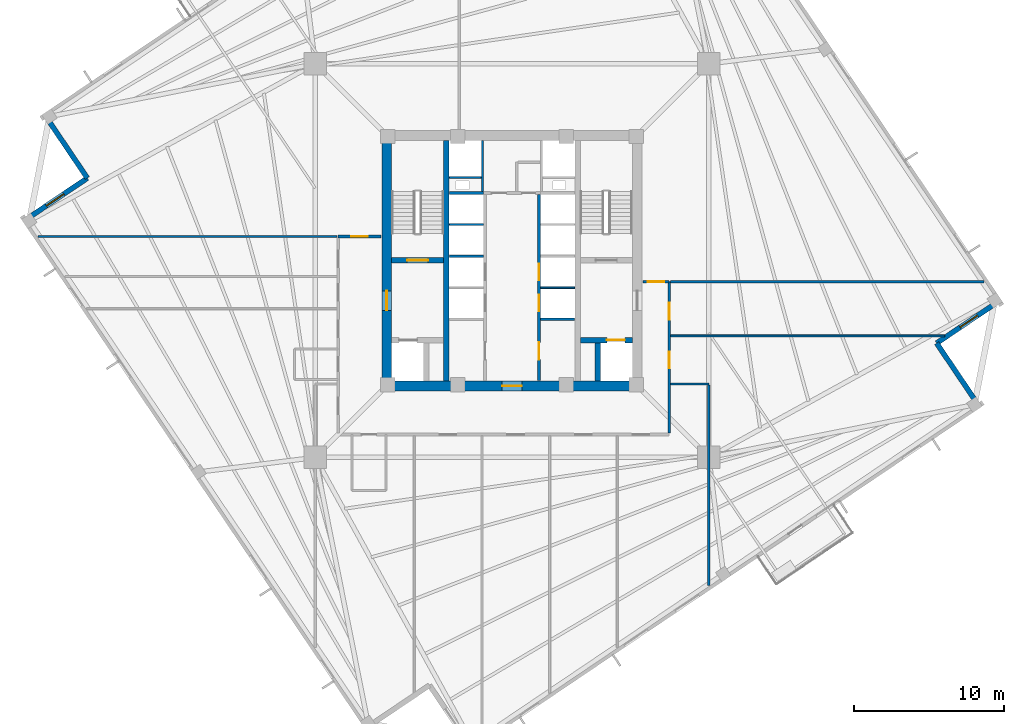
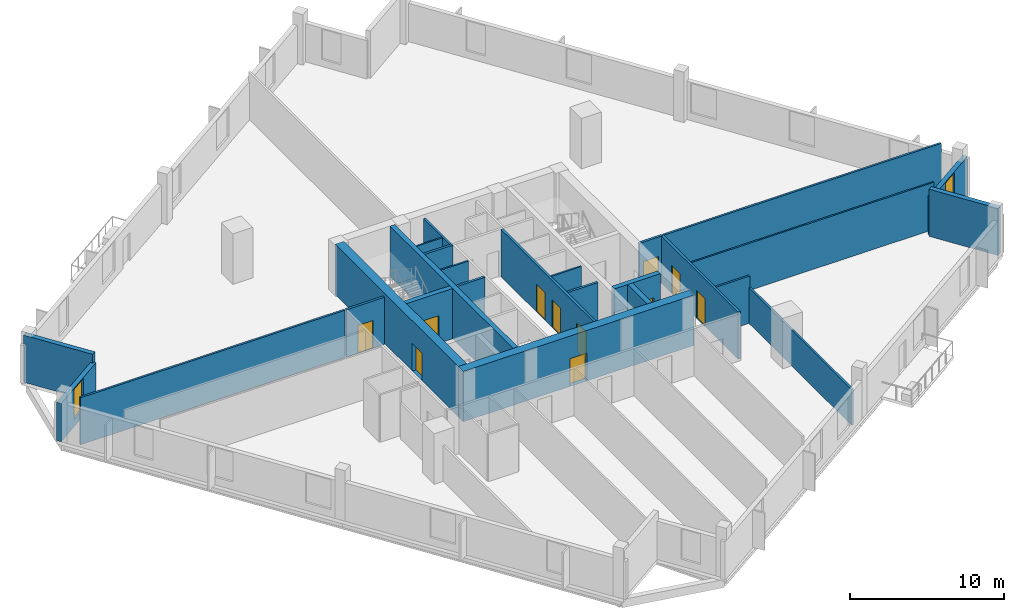
# One storey, part 4 of 9: 26 walls, 11 doors, 2 windows, 13 openings.
"""IFC4 building model written with IfcOpenShell, lengths in metres."""

from ifc_helpers import new_model, si_unit, direction, frame, frame_2d, origin, place, context, subcontext, project, spatial, rectangle, extrude, source, transform, mapped, material, layer, layer_set, type_object, element, fill, save


model = new_model("IFC4")

# Units and contexts
model_context = context("Model", 3, precision=1e-05, world=origin(), true_north=direction((0.0, 1.0)))
body_context = subcontext(model_context, "Body", "Model", "MODEL_VIEW")
ifc_project = project(units=[si_unit("LENGTHUNIT", "METRE"), si_unit("AREAUNIT", "SQUARE_METRE"), si_unit("VOLUMEUNIT", "CUBIC_METRE"), si_unit("PLANEANGLEUNIT", "RADIAN"), si_unit("MASSUNIT", "GRAM", prefix="KILO"), si_unit("THERMODYNAMICTEMPERATUREUNIT", "KELVIN")], contexts=[model_context])

# Site, building, storey
site_placement = place(None, origin())
site = spatial("IfcSite", under=ifc_project, at=site_placement, CompositionType="ELEMENT")
building_placement = place(site_placement, origin())
building = spatial("IfcBuilding", under=site, at=building_placement, Name="Kosmvard Interchange Tower", CompositionType="ELEMENT")
storey_placement = place(building_placement, frame((0.0, 0.0, 160.39990234375)))
storey = spatial("IfcBuildingStorey", under=building, at=storey_placement, Name="L38", CompositionType="ELEMENT", Elevation=160.39990234375)

# Walls
ifc_material_1 = material(Name="Acoustic gypsum partition system")
ifc_layer_1 = layer(ifc_material_1, 0.14990234375, Name="Acoustic gypsum partition system")
ifc_layer_set_1 = layer_set([ifc_layer_1], Name="Acoustic gypsum partition system")
wall_type_1 = type_object("IfcWallType", Name="Acoustic Suite & Meeting Partition 150", PredefinedType="PARTITIONING", material=ifc_layer_set_1)
wall_1_placement = place(storey_placement, frame((-31.506103515625, 1.60009765625, 0.0), z_axis=(0.0, 0.0, 1.0), x_axis=(1.0, 0.0, 0.0)))
element("IfcWall", 1, at=wall_1_placement, inside=storey, type_object=wall_type_1, Name="L38 Room Partition 03.1", PredefinedType="PARTITIONING", context=body_context, shape_type="SweptSolid", body=[
    extrude(rectangle(XDim=19.861083984375, YDim=0.14990234375, at=frame_2d((9.9306640625, 0.0))), origin(), (0.0, 0.0, 1.0), 3.739990234375),
])
wall_2_placement = place(storey_placement, frame((10.544921875, -1.39990234375, 0.0), z_axis=(0.0, 0.0, 1.0), x_axis=(1.0, 0.0, 0.0)))
element("IfcWall", 2, at=wall_2_placement, inside=storey, type_object=wall_type_1, Name="L38 Room Partition 04.1", PredefinedType="PARTITIONING", context=body_context, shape_type="SweptSolid", body=[
    extrude(rectangle(XDim=20.826171875, YDim=0.14990234375, at=frame_2d((10.4130859375, 0.0))), origin(), (0.0, 0.0, 1.0), 3.739990234375),
])
wall_3_placement = place(storey_placement, frame((10.544921875, -8.199951171875, 0.0), z_axis=(0.0, 0.0, 1.0), x_axis=(1.0, 0.0, 0.0)))
element("IfcWall", 3, at=wall_3_placement, inside=storey, type_object=wall_type_1, Name="L38 Room Partition 12.1", PredefinedType="PARTITIONING", context=body_context, shape_type="SweptSolid", body=[
    extrude(rectangle(XDim=2.5361328125, YDim=0.14990234375, at=frame_2d((1.26806640625, 0.0))), origin(), (0.0, 0.0, 1.0), 3.739990234375),
])
wall_4_placement = place(storey_placement, frame((13.0810546875, -8.27490234375, 0.0), z_axis=(0.0, 0.0, 1.0), x_axis=(0.0, -1.0, 0.0)))
element("IfcWall", 4, at=wall_4_placement, inside=storey, type_object=wall_type_1, Name="L38 Room Partition 13.1", PredefinedType="PARTITIONING", context=body_context, shape_type="SweptSolid", body=[
    extrude(rectangle(XDim=13.32861328125, YDim=0.14990234375, at=frame_2d((6.664306640625, 0.0))), origin(), (0.0, 0.0, 1.0), 2.840087890625),
])
ifc_material_2 = material(Name="Fire-rated gypsum partition system")
ifc_layer_2 = layer(ifc_material_2, 0.159912109375, Name="Fire-rated gypsum partition system")
ifc_layer_set_2 = layer_set([ifc_layer_2], Name="Fire-rated gypsum partition system")
wall_type_2 = type_object("IfcWallType", Name="Core Compartment & Shuttle Lobby Partition 160", PredefinedType="PARTITIONING", material=ifc_layer_set_2)
wall_5_placement = place(storey_placement, frame((-1.9599609375, 4.580078125, 0.0), z_axis=(0.0, 0.0, 1.0), x_axis=(0.0, 1.0, 0.0)))
element("IfcWall", 5, at=wall_5_placement, inside=storey, type_object=wall_type_2, Name="L38 North Core West Wall", PredefinedType="PARTITIONING", context=body_context, shape_type="SweptSolid", body=[
    extrude(rectangle(XDim=3.39990234375, YDim=0.159912109375, at=frame_2d((1.699951171875, 0.0))), origin(), (0.0, 0.0, 1.0), 3.739990234375),
])

# Wall, openings, doors
ifc_layer_3 = layer(ifc_material_2, 0.179931640625, Name="Fire-rated gypsum partition system")
ifc_layer_set_3 = layer_set([ifc_layer_3], Name="Fire-rated gypsum partition system")
wall_type_3 = type_object("IfcWallType", Name="Corridor & Hotel Compartment Partition 180", PredefinedType="PARTITIONING", material=ifc_layer_set_3)
wall_6_placement = place(storey_placement, frame((1.7900390625, -7.97998046875, 0.0), z_axis=(0.0, 0.0, 1.0), x_axis=(0.0, 1.0, 0.0)))
wall_6 = element("IfcWall", 6, at=wall_6_placement, inside=storey, type_object=wall_type_3, Name="L38 East Lift Bank Front Wall", PredefinedType="PARTITIONING", context=body_context, shape_type="SweptSolid", body=[
    extrude(rectangle(XDim=12.3798828125, YDim=0.179931640625, at=frame_2d((6.18994140625, 0.0))), origin(), (0.0, 0.0, 1.0), 3.739990234375),
])
opening_1_placement = place(wall_6_placement, frame((4.60009765625, 0.0, 0.0)))
opening_1 = element("IfcOpeningElement", 7, at=opening_1_placement, cuts=wall_6, Name="Opening LD-PL-M3-L38", PredefinedType="OPENING", context=body_context, shape_type="SweptSolid", body=[
    extrude(rectangle(XDim=1.10009765625, YDim=2.199951171875, at=frame_2d((0.550048828125, 1.10009765625))), frame((0.0, 0.10009765625, 0.0), z_axis=(0.0, -1.0, 0.0), x_axis=(1.0, 0.0, 0.0)), (0.0, 0.0, 1.0), 0.199951171875),
])
opening_2_placement = place(wall_6_placement, frame((6.659912109375, 0.0, 0.0)))
opening_2 = element("IfcOpeningElement", 8, at=opening_2_placement, cuts=wall_6, Name="Opening LD-PL-M4-L38", PredefinedType="OPENING", context=body_context, shape_type="SweptSolid", body=[
    extrude(rectangle(XDim=1.10009765625, YDim=2.199951171875, at=frame_2d((0.550048828125, 1.10009765625))), frame((0.0, 0.10009765625, 0.0), z_axis=(0.0, -1.0, 0.0), x_axis=(1.0, 0.0, 0.0)), (0.0, 0.0, 1.0), 0.199951171875),
])
opening_3_placement = place(wall_6_placement, frame((1.39990234375, 0.0, 0.0)))
opening_3 = element("IfcOpeningElement", 9, at=opening_3_placement, cuts=wall_6, Name="Opening L38-CD2", PredefinedType="OPENING", context=body_context, shape_type="SweptSolid", body=[
    extrude(rectangle(XDim=1.14990234375, YDim=2.25, at=frame_2d((0.574951171875, 1.125))), frame((0.0, 0.10009765625, 0.0), z_axis=(0.0, -1.0, 0.0), x_axis=(1.0, 0.0, 0.0)), (0.0, 0.0, 1.0), 0.199951171875),
])
ifc_material_3 = material(Name="Painted fire-rated steel leaf", Category="steel")
door_type_1 = type_object("IfcDoorType", Name="Plant & Riser Fire Door 1150x2250 EI60", OperationType="NOTDEFINED", PredefinedType="DOOR", material=ifc_material_3)
shared_shape_1 = source(origin(), body_context, "Body", "SweptSolid", [
    extrude(rectangle(XDim=1.14990234375, YDim=2.25, at=frame_2d((0.574951171875, 1.125))), frame((0.0, 0.02490234375, 0.0), z_axis=(0.0, -1.0, 0.0), x_axis=(1.0, 0.0, 0.0)), (0.0, 0.0, 1.0), 0.050048828125),
])
door_1_placement = place(opening_3_placement, frame((1.14990234375, 0.0, 0.0), z_axis=(0.0, 0.0, 1.0), x_axis=(-1.0, 0.0, 0.0)))
door_1 = element("IfcDoor", 10, at=door_1_placement, inside=storey, type_object=door_type_1, Name="L38 Core BMS Door", OperationType="SINGLE_SWING_RIGHT", OverallHeight=2.25, OverallWidth=1.14990234375, PredefinedType="DOOR", context=body_context, shape_type="MappedRepresentation", body=[
    mapped(shared_shape_1, transform((0.0, 0.0, 0.0), scale=1.0)),
])
fill(opening_3, door_1)
ifc_material_4 = material(Name="Brushed stainless steel sliding leaf", Category="steel")
door_type_2 = type_object("IfcDoorType", Name="Passenger Lift Sliding Landing Door 1100x2200 EI60", OperationType="DOUBLE_DOOR_SLIDING", PredefinedType="DOOR", material=ifc_material_4)
shared_shape_2 = source(origin(), body_context, "Body", "SweptSolid", [
    extrude(rectangle(XDim=1.10009765625, YDim=2.199951171875, at=frame_2d((0.550048828125, 1.10009765625))), frame((0.0, 0.02490234375, 0.0), z_axis=(0.0, -1.0, 0.0), x_axis=(1.0, 0.0, 0.0)), (0.0, 0.0, 1.0), 0.050048828125),
])
door_2_placement = place(opening_1_placement, origin())
door_2 = element("IfcDoor", 11, at=door_2_placement, inside=storey, type_object=door_type_2, Name="Lift PL-M3 Landing Door L38", OperationType="DOUBLE_DOOR_SLIDING", OverallHeight=2.199951171875, OverallWidth=1.10009765625, PredefinedType="DOOR", context=body_context, shape_type="MappedRepresentation", body=[
    mapped(shared_shape_2, transform((0.0, 0.0, 0.0), scale=1.0)),
])
fill(opening_1, door_2)
door_3_placement = place(opening_2_placement, origin())
door_3 = element("IfcDoor", 12, at=door_3_placement, inside=storey, type_object=door_type_2, Name="Lift PL-M4 Landing Door L38", OperationType="DOUBLE_DOOR_SLIDING", OverallHeight=2.199951171875, OverallWidth=1.10009765625, PredefinedType="DOOR", context=body_context, shape_type="MappedRepresentation", body=[
    mapped(shared_shape_2, transform((0.0, 0.0, 0.0), scale=1.0)),
])
fill(opening_2, door_3)

wall_7_placement = place(storey_placement, frame((10.449951171875, -11.449951171875, 0.0), z_axis=(0.0, 0.0, 1.0), x_axis=(0.0, 1.0, 0.0)))
wall_7 = element("IfcWall", 13, at=wall_7_placement, inside=storey, type_object=wall_type_3, Name="L38 Corridor Wall CE", PredefinedType="PARTITIONING", context=body_context, shape_type="SweptSolid", body=[
    extrude(rectangle(XDim=10.050048828125, YDim=0.179931640625, at=frame_2d((5.02490234375, 0.0))), origin(), (0.0, 0.0, 1.0), 3.739990234375),
])
opening_4_placement = place(wall_7_placement, frame((4.300048828125, 0.0, 0.0)))
opening_4 = element("IfcOpeningElement", 14, at=opening_4_placement, cuts=wall_7, Name="Opening L38-D13", PredefinedType="OPENING", context=body_context, shape_type="SweptSolid", body=[
    extrude(rectangle(XDim=1.10009765625, YDim=2.199951171875, at=frame_2d((0.550048828125, 1.10009765625))), frame((0.0, 0.10009765625, 0.0), z_axis=(0.0, -1.0, 0.0), x_axis=(1.0, 0.0, 0.0)), (0.0, 0.0, 1.0), 0.199951171875),
])
opening_5_placement = place(wall_7_placement, frame((7.53564453125, 0.0, 0.0)))
opening_5 = element("IfcOpeningElement", 15, at=opening_5_placement, cuts=wall_7, Name="Opening L38-D14", PredefinedType="OPENING", context=body_context, shape_type="SweptSolid", body=[
    extrude(rectangle(XDim=1.10009765625, YDim=2.199951171875, at=frame_2d((0.550048828125, 1.10009765625))), frame((0.0, 0.10009765625, 0.0), z_axis=(0.0, -1.0, 0.0), x_axis=(1.0, 0.0, 0.0)), (0.0, 0.0, 1.0), 0.199951171875),
])
ifc_material_5 = material(Name="Engineered oak fire-rated timber", Category="wood")
door_type_3 = type_object("IfcDoorType", Name="Office Suite Entrance Door 1100x2200 FD30S", OperationType="NOTDEFINED", PredefinedType="DOOR", material=ifc_material_5)
door_4_placement = place(opening_4_placement, frame((1.10009765625, 0.0, 0.0), z_axis=(0.0, 0.0, 1.0), x_axis=(-1.0, 0.0, 0.0)))
door_4 = element("IfcDoor", 16, at=door_4_placement, inside=storey, type_object=door_type_3, Name="L38 Staff Tea Pantry Door", OperationType="SINGLE_SWING_LEFT", OverallHeight=2.199951171875, OverallWidth=1.10009765625, PredefinedType="DOOR", context=body_context, shape_type="MappedRepresentation", body=[
    mapped(shared_shape_2, transform((0.0, 0.0, 0.0), scale=1.0)),
])
fill(opening_4, door_4)
door_5_placement = place(opening_5_placement, frame((1.10009765625, 0.0, 0.0), z_axis=(0.0, 0.0, 1.0), x_axis=(-1.0, 0.0, 0.0)))
door_5 = element("IfcDoor", 17, at=door_5_placement, inside=storey, type_object=door_type_3, Name="L38 East Systems Office 7 Door", OperationType="SINGLE_SWING_RIGHT", OverallHeight=2.199951171875, OverallWidth=1.10009765625, PredefinedType="DOOR", context=body_context, shape_type="MappedRepresentation", body=[
    mapped(shared_shape_2, transform((0.0, 0.0, 0.0), scale=1.0)),
])
fill(opening_5, door_5)

# Wall, opening, door
wall_8_placement = place(storey_placement, frame((-11.550048828125, 1.60009765625, 0.0), z_axis=(0.0, 0.0, 1.0), x_axis=(1.0, 0.0, 0.0)))
wall_8 = element("IfcWall", 18, at=wall_8_placement, inside=storey, type_object=wall_type_3, Name="L38 Corridor Wall CNW", PredefinedType="PARTITIONING", context=body_context, shape_type="SweptSolid", body=[
    extrude(rectangle(XDim=2.85009765625, YDim=0.179931640625, at=frame_2d((1.425048828125, 0.0))), origin(), (0.0, 0.0, 1.0), 3.739990234375),
])
opening_6_placement = place(wall_8_placement, frame((0.875, 0.0, 0.0)))
opening_6 = element("IfcOpeningElement", 19, at=opening_6_placement, cuts=wall_8, Name="Opening L38-D04", PredefinedType="OPENING", context=body_context, shape_type="SweptSolid", body=[
    extrude(rectangle(XDim=1.10009765625, YDim=2.199951171875, at=frame_2d((0.550048828125, 1.10009765625))), frame((0.0, 0.10009765625, 0.0), z_axis=(0.0, -1.0, 0.0), x_axis=(1.0, 0.0, 0.0)), (0.0, 0.0, 1.0), 0.199951171875),
])
door_6_placement = place(opening_6_placement, origin())
door_6 = element("IfcDoor", 20, at=door_6_placement, inside=storey, type_object=door_type_3, Name="L38 North-West Software Workplace Door", OperationType="SINGLE_SWING_RIGHT", OverallHeight=2.199951171875, OverallWidth=1.10009765625, PredefinedType="DOOR", context=body_context, shape_type="MappedRepresentation", body=[
    mapped(shared_shape_2, transform((0.0, 0.0, 0.0), scale=1.0)),
])
fill(opening_6, door_6)

wall_9_placement = place(storey_placement, frame((8.699951171875, -1.39990234375, 0.0), z_axis=(0.0, 0.0, 1.0), x_axis=(1.0, 0.0, 0.0)))
wall_9 = element("IfcWall", 21, at=wall_9_placement, inside=storey, type_object=wall_type_3, Name="L38 Corridor Wall CNE", PredefinedType="PARTITIONING", context=body_context, shape_type="SweptSolid", body=[
    extrude(rectangle(XDim=1.75, YDim=0.179931640625, at=frame_2d((0.875, 0.0))), origin(), (0.0, 0.0, 1.0), 3.739990234375),
])
opening_7_placement = place(wall_9_placement, frame((0.324951171875, 0.0, 0.0)))
opening_7 = element("IfcOpeningElement", 22, at=opening_7_placement, cuts=wall_9, Name="Opening L38-D05", PredefinedType="OPENING", context=body_context, shape_type="SweptSolid", body=[
    extrude(rectangle(XDim=1.10009765625, YDim=2.199951171875, at=frame_2d((0.550048828125, 1.10009765625))), frame((0.0, 0.10009765625, 0.0), z_axis=(0.0, -1.0, 0.0), x_axis=(1.0, 0.0, 0.0)), (0.0, 0.0, 1.0), 0.199951171875),
])
door_7_placement = place(opening_7_placement, origin())
door_7 = element("IfcDoor", 23, at=door_7_placement, inside=storey, type_object=door_type_3, Name="L38 Digital Engineering Library Door", OperationType="SINGLE_SWING_LEFT", OverallHeight=2.199951171875, OverallWidth=1.10009765625, PredefinedType="DOOR", context=body_context, shape_type="MappedRepresentation", body=[
    mapped(shared_shape_2, transform((0.0, 0.0, 0.0), scale=1.0)),
])
fill(opening_7, door_7)

ifc_material_6 = material(Name="Concrete C70/85", Category="concrete")
ifc_layer_4 = layer(ifc_material_6, 0.64990234375, Name="Concrete C70/85")
ifc_layer_set_4 = layer_set([ifc_layer_4], Name="Concrete C70/85")
wall_type_4 = type_object("IfcWallType", Name="Mid Core Shear Wall 650 C70/85", PredefinedType="SHEAR", material=ifc_layer_set_4)
wall_10_placement = place(storey_placement, frame((-8.64990234375, -8.324951171875, 0.0), z_axis=(0.0, 0.0, 1.0), x_axis=(1.0, 0.0, 0.0)))
wall_10 = element("IfcWall", 24, at=wall_10_placement, inside=storey, type_object=wall_type_4, Name="L38 Core Shear Wall CW-S", PredefinedType="SHEAR", context=body_context, shape_type="SweptSolid", body=[
    extrude(rectangle(XDim=17.2998046875, YDim=0.64990234375, at=frame_2d((8.64990234375, 0.0))), origin(), (0.0, 0.0, 1.0), 4.0),
])
opening_8_placement = place(wall_10_placement, frame((8.0, 0.0, 0.0)))
opening_8 = element("IfcOpeningElement", 25, at=opening_8_placement, cuts=wall_10, Name="Opening L38-LD0", PredefinedType="OPENING", context=body_context, shape_type="SweptSolid", body=[
    extrude(rectangle(XDim=1.300048828125, YDim=2.199951171875, at=frame_2d((0.64990234375, 1.10009765625))), frame((0.0, 0.3349609375, 0.0), z_axis=(0.0, -1.0, 0.0), x_axis=(1.0, 0.0, 0.0)), (0.0, 0.0, 1.0), 0.669921875),
])
door_type_4 = type_object("IfcDoorType", Name="Firefighting Lobby Door 1300x2200 EI60", OperationType="NOTDEFINED", PredefinedType="DOOR", material=ifc_material_3)
shared_shape_3 = source(origin(), body_context, "Body", "SweptSolid", [
    extrude(rectangle(XDim=1.300048828125, YDim=2.199951171875, at=frame_2d((0.64990234375, 1.10009765625))), frame((0.0, 0.02490234375, 0.0), z_axis=(0.0, -1.0, 0.0), x_axis=(1.0, 0.0, 0.0)), (0.0, 0.0, 1.0), 0.050048828125),
])
door_8_placement = place(opening_8_placement, frame((1.300048828125, 0.0, 0.0), z_axis=(0.0, 0.0, 1.0), x_axis=(-1.0, 0.0, 0.0)))
door_8 = element("IfcDoor", 26, at=door_8_placement, inside=storey, type_object=door_type_4, Name="L38 Passenger Lift Lobby South Door", OperationType="SINGLE_SWING_RIGHT", OverallHeight=2.199951171875, OverallWidth=1.300048828125, PredefinedType="DOOR", context=body_context, shape_type="MappedRepresentation", body=[
    mapped(shared_shape_3, transform((0.0, 0.0, 0.0), scale=1.0)),
])
fill(opening_8, door_8)

wall_11_placement = place(storey_placement, frame((-8.324951171875, -8.0, 0.0), z_axis=(0.0, 0.0, 1.0), x_axis=(0.0, 1.0, 0.0)))
wall_11 = element("IfcWall", 27, at=wall_11_placement, inside=storey, type_object=wall_type_4, Name="L38 Core Shear Wall CW-W", PredefinedType="SHEAR", context=body_context, shape_type="SweptSolid", body=[
    extrude(rectangle(XDim=16.0, YDim=0.64990234375, at=frame_2d((8.0, 0.0))), origin(), (0.0, 0.0, 1.0), 4.0),
])
opening_9_placement = place(wall_11_placement, frame((4.68994140625, 0.0, 0.0)))
opening_9 = element("IfcOpeningElement", 28, at=opening_9_placement, cuts=wall_11, Name="Opening L38-FD1", PredefinedType="OPENING", context=body_context, shape_type="SweptSolid", body=[
    extrude(rectangle(XDim=1.300048828125, YDim=2.199951171875, at=frame_2d((0.64990234375, 1.10009765625))), frame((0.0, 0.3349609375, 0.0), z_axis=(0.0, -1.0, 0.0), x_axis=(1.0, 0.0, 0.0)), (0.0, 0.0, 1.0), 0.669921875),
])
door_9_placement = place(opening_9_placement, frame((1.300048828125, 0.0, 0.0), z_axis=(0.0, 0.0, 1.0), x_axis=(-1.0, 0.0, 0.0)))
door_9 = element("IfcDoor", 29, at=door_9_placement, inside=storey, type_object=door_type_4, Name="L38 Firefighting Lobby West Door", OperationType="SINGLE_SWING_LEFT", OverallHeight=2.199951171875, OverallWidth=1.300048828125, PredefinedType="DOOR", context=body_context, shape_type="MappedRepresentation", body=[
    mapped(shared_shape_3, transform((0.0, 0.0, 0.0), scale=1.0)),
])
fill(opening_9, door_9)

# Wall
ifc_material_7 = material(Name="Precast concrete C45/55", Category="concrete")
ifc_layer_5 = layer(ifc_material_7, 0.340087890625, Name="Precast concrete C45/55")
ifc_layer_set_5 = layer_set([ifc_layer_5], Name="Precast concrete C45/55")
wall_type_5 = type_object("IfcWallType", Name="Mid Tower Precast Pier Wall 340 C45/55", PredefinedType="STANDARD", material=ifc_layer_set_5)
wall_12_placement = place(storey_placement, frame((31.018798828125, -9.631103515625, 0.0), z_axis=(0.0, 0.0, 1.0), x_axis=(-0.559210350234, 0.829025804298, 0.0)))
element("IfcWall", 30, at=wall_12_placement, inside=storey, type_object=wall_type_5, Name="L38 Precast Facade Wall N-SE1", PredefinedType="STANDARD", context=body_context, shape_type="SweptSolid", body=[
    extrude(rectangle(XDim=5.000244140625, YDim=0.340087890625, at=frame_2d((2.5, 0.0))), origin(), (0.0, 0.0, 1.0), 3.739990234375),
])

# Wall, opening, window
wall_13_placement = place(storey_placement, frame((28.22265625, -5.48583984375, 0.0), z_axis=(0.0, 0.0, 1.0), x_axis=(0.82905227345, 0.559171107879, 0.0)))
wall_13 = element("IfcWall", 31, at=wall_13_placement, inside=storey, type_object=wall_type_5, Name="L38 Precast Facade Wall N-SE2", PredefinedType="STANDARD", context=body_context, shape_type="SweptSolid", body=[
    extrude(rectangle(XDim=5.169921875, YDim=0.340087890625, at=frame_2d((2.5849609375, 0.0))), origin(), (0.0, 0.0, 1.0), 3.0400390625),
])
opening_10_placement = place(wall_13_placement, frame((1.885009765625, 0.0, 0.56005859375)))
opening_10 = element("IfcOpeningElement", 32, at=opening_10_placement, cuts=wall_13, Name="Opening L38-W21", PredefinedType="OPENING", context=body_context, shape_type="SweptSolid", body=[
    extrude(rectangle(XDim=1.39990234375, YDim=2.39990234375, at=frame_2d((0.699951171875, 1.199951171875))), frame((0.0, 0.18017578125, 0.0), z_axis=(0.0, -1.0, 0.0), x_axis=(1.0, 0.0, 0.0)), (0.0, 0.0, 1.0), 0.360107421875),
])
ifc_material_8 = material(Name="Low-E solar-control double glazing", Category="glass")
window_type = type_object("IfcWindowType", Name="Notched Corner Feature Window 1400x2400", PartitioningType="SINGLE_PANEL", PredefinedType="WINDOW", material=ifc_material_8)
shared_shape_4 = source(origin(), body_context, "Body", "SweptSolid", [
    extrude(rectangle(XDim=1.39990234375, YDim=2.39990234375, at=frame_2d((0.699951171875, 1.199951171875))), frame((0.0, 0.030029296875, 0.0), z_axis=(0.0, -1.0, 0.0), x_axis=(1.0, 0.0, 0.0)), (0.0, 0.0, 1.0), 0.06005859375),
])
window_1_placement = place(opening_10_placement, origin())
window_1 = element("IfcWindow", 33, at=window_1_placement, inside=storey, type_object=window_type, Name="L38 Corner Notch Window 21", OverallHeight=2.39990234375, OverallWidth=1.39990234375, PartitioningType="SINGLE_PANEL", PredefinedType="WINDOW", context=body_context, shape_type="MappedRepresentation", body=[
    mapped(shared_shape_4, transform((0.0, 0.0, 0.0), scale=1.0)),
])
fill(opening_10, window_1)

# Wall
wall_14_placement = place(storey_placement, frame((-31.018798828125, 9.631103515625, 0.0), z_axis=(0.0, 0.0, 1.0), x_axis=(0.559210350234, -0.829025804298, 0.0)))
element("IfcWall", 34, at=wall_14_placement, inside=storey, type_object=wall_type_5, Name="L38 Precast Facade Wall N-NW1", PredefinedType="STANDARD", context=body_context, shape_type="SweptSolid", body=[
    extrude(rectangle(XDim=5.000244140625, YDim=0.340087890625, at=frame_2d((2.5, 0.0))), origin(), (0.0, 0.0, 1.0), 3.739990234375),
])

# Wall, opening, window
wall_15_placement = place(storey_placement, frame((-28.22265625, 5.48583984375, 0.0), z_axis=(0.0, 0.0, 1.0), x_axis=(-0.82905227345, -0.559171107879, 0.0)))
wall_15 = element("IfcWall", 35, at=wall_15_placement, inside=storey, type_object=wall_type_5, Name="L38 Precast Facade Wall N-NW2", PredefinedType="STANDARD", context=body_context, shape_type="SweptSolid", body=[
    extrude(rectangle(XDim=5.169921875, YDim=0.340087890625, at=frame_2d((2.5849609375, 0.0))), origin(), (0.0, 0.0, 1.0), 3.0400390625),
])
opening_11_placement = place(wall_15_placement, frame((1.885009765625, 0.0, 0.56005859375)))
opening_11 = element("IfcOpeningElement", 36, at=opening_11_placement, cuts=wall_15, Name="Opening L38-W23", PredefinedType="OPENING", context=body_context, shape_type="SweptSolid", body=[
    extrude(rectangle(XDim=1.39990234375, YDim=2.39990234375, at=frame_2d((0.699951171875, 1.199951171875))), frame((0.0, 0.18017578125, 0.0), z_axis=(0.0, -1.0, 0.0), x_axis=(1.0, 0.0, 0.0)), (0.0, 0.0, 1.0), 0.360107421875),
])
window_2_placement = place(opening_11_placement, origin())
window_2 = element("IfcWindow", 37, at=window_2_placement, inside=storey, type_object=window_type, Name="L38 Corner Notch Window 23", OverallHeight=2.39990234375, OverallWidth=1.39990234375, PartitioningType="SINGLE_PANEL", PredefinedType="WINDOW", context=body_context, shape_type="MappedRepresentation", body=[
    mapped(shared_shape_4, transform((0.0, 0.0, 0.0), scale=1.0)),
])
fill(opening_11, window_2)

# Walls
ifc_material_9 = material(Name="Gypsum board partition system")
ifc_layer_6 = layer(ifc_material_9, 0.1201171875, Name="Gypsum board partition system")
ifc_layer_set_6 = layer_set([ifc_layer_6], Name="Gypsum board partition system")
wall_type_6 = type_object("IfcWallType", Name="Office Cellular Partition 120", PredefinedType="PARTITIONING", material=ifc_layer_set_6)
wall_16_placement = place(storey_placement, frame((10.544921875, -5.0, 0.0), z_axis=(0.0, 0.0, 1.0), x_axis=(1.0, 0.0, 0.0)))
element("IfcWall", 38, at=wall_16_placement, inside=storey, type_object=wall_type_6, Name="L38 Room Partition 14.1", PredefinedType="PARTITIONING", context=body_context, shape_type="SweptSolid", body=[
    extrude(rectangle(XDim=18.21044921875, YDim=0.1201171875, at=frame_2d((9.105224609375, 0.0))), origin(), (0.0, 0.0, 1.0), 3.739990234375),
])
ifc_material_10 = material(Name="Concrete blockwork masonry", Category="masonry")
ifc_layer_7 = layer(ifc_material_10, 0.179931640625, Name="Concrete blockwork masonry")
ifc_layer_set_7 = layer_set([ifc_layer_7], Name="Concrete blockwork masonry")
wall_type_7 = type_object("IfcWallType", Name="Riser & Lift Bank Divider Wall 180", PredefinedType="PARTITIONING", material=ifc_layer_set_7)
for number, where, z_axis, x_axis, name in (
    (39, (1.889892578125, -3.89990234375, 0.0), (0.0, 0.0, 1.0), (1.0, 0.0, 0.0), "L38 East Bank Divider BD1"),
    (40, (-4.169921875, 0.300048828125, 0.0), (0.0, 0.0, 1.0), (1.0, 0.0, 0.0), "L38 West Bank Divider BD2"),
    (41, (-4.169921875, 4.489990234375, 0.0), (0.0, 0.0, 1.0), (1.0, 0.0, 0.0), "L38 West Bank Divider BD3"),
):
    element("IfcWall", number, at=place(storey_placement, frame(where, z_axis=z_axis, x_axis=x_axis)), inside=storey, type_object=wall_type_7, Name=name, PredefinedType="PARTITIONING", context=body_context, shape_type="SweptSolid", body=[
        extrude(rectangle(XDim=2.280029296875, YDim=0.179931640625, at=frame_2d((1.14013671875, 0.0))), origin(), (0.0, 0.0, 1.0), 3.739990234375),
    ])
ifc_material_11 = material(Name="Fire-rated gypsum shaftwall system")
ifc_layer_8 = layer(ifc_material_11, 0.1201171875, Name="Fire-rated gypsum shaftwall system")
ifc_layer_set_8 = layer_set([ifc_layer_8], Name="Fire-rated gypsum shaftwall system")
wall_type_8 = type_object("IfcWallType", Name="Shaft & Riser Fire Partition 120 EI60", PredefinedType="PARTITIONING", material=ifc_layer_set_8)
for number, where, z_axis, x_axis, name in (
    (42, (1.89990234375, -1.800048828125, 0.0), (0.0, 0.0, 1.0), (1.0, 0.0, 0.0), "L38 Shaft Divider PL-M3"),
    (43, (-4.159912109375, 2.39990234375, 0.0), (0.0, 0.0, 1.0), (1.0, 0.0, 0.0), "L38 Shaft Divider PL-H1"),
):
    element("IfcWall", number, at=place(storey_placement, frame(where, z_axis=z_axis, x_axis=x_axis)), inside=storey, type_object=wall_type_8, Name=name, PredefinedType="PARTITIONING", context=body_context, shape_type="SweptSolid", body=[
        extrude(rectangle(XDim=2.260009765625, YDim=0.1201171875, at=frame_2d((1.1298828125, 0.0))), origin(), (0.0, 0.0, 1.0), 3.739990234375),
    ])
wall_17_placement = place(storey_placement, frame((-4.159912109375, 5.52001953125, 0.0), z_axis=(0.0, 0.0, 1.0), x_axis=(1.0, 0.0, 0.0)))
element("IfcWall", 44, at=wall_17_placement, inside=storey, type_object=wall_type_8, Name="L38 Riser Shaft Divider W", PredefinedType="PARTITIONING", context=body_context, shape_type="SweptSolid", body=[
    extrude(rectangle(XDim=2.099853515625, YDim=0.1201171875, at=frame_2d((1.0498046875, 0.0))), origin(), (0.0, 0.0, 1.0), 3.739990234375),
])
ifc_material_12 = material(Name="Concrete C60/75", Category="concrete")
ifc_layer_9 = layer(ifc_material_12, 0.360107421875, Name="Concrete C60/75")
ifc_layer_set_9 = layer_set([ifc_layer_9], Name="Concrete C60/75")
wall_type_9 = type_object("IfcWallType", Name="Stair & Lift Shaft Shear Wall 360 C60/75", PredefinedType="SHEAR", material=ifc_layer_set_9)
wall_18_placement = place(storey_placement, frame((-4.360107421875, -8.0, 0.0), z_axis=(0.0, 0.0, 1.0), x_axis=(0.0, 1.0, 0.0)))
element("IfcWall", 45, at=wall_18_placement, inside=storey, type_object=wall_type_9, Name="L38 Shaft Shear Wall SW-W", PredefinedType="SHEAR", context=body_context, shape_type="SweptSolid", body=[
    extrude(rectangle(XDim=16.0, YDim=0.360107421875, at=frame_2d((8.0, 0.0))), origin(), (0.0, 0.0, 1.0), 4.0),
])

# Wall, opening, door
wall_19_placement = place(storey_placement, frame((-8.0, 0.02001953125, 0.0), z_axis=(0.0, 0.0, 1.0), x_axis=(1.0, 0.0, 0.0)))
wall_19 = element("IfcWall", 46, at=wall_19_placement, inside=storey, type_object=wall_type_9, Name="L38 Shaft Shear Wall SW-ST1", PredefinedType="SHEAR", context=body_context, shape_type="SweptSolid", body=[
    extrude(rectangle(XDim=3.4599609375, YDim=0.360107421875, at=frame_2d((1.72998046875, 0.0))), origin(), (0.0, 0.0, 1.0), 4.0),
])
opening_12_placement = place(wall_19_placement, frame((1.030029296875, 0.0, 0.0)))
opening_12 = element("IfcOpeningElement", 47, at=opening_12_placement, cuts=wall_19, Name="Opening L38-SD1", PredefinedType="OPENING", context=body_context, shape_type="SweptSolid", body=[
    extrude(rectangle(XDim=1.39990234375, YDim=2.199951171875, at=frame_2d((0.699951171875, 1.10009765625))), frame((0.0, 0.18994140625, 0.0), z_axis=(0.0, -1.0, 0.0), x_axis=(1.0, 0.0, 0.0)), (0.0, 0.0, 1.0), 0.380126953125),
])
door_type_5 = type_object("IfcDoorType", Name="Protected Stair Door 1400x2200 FD60S", OperationType="NOTDEFINED", PredefinedType="DOOR", material=ifc_material_3)
shared_shape_5 = source(origin(), body_context, "Body", "SweptSolid", [
    extrude(rectangle(XDim=1.39990234375, YDim=2.199951171875, at=frame_2d((0.699951171875, 1.10009765625))), frame((0.0, 0.02490234375, 0.0), z_axis=(0.0, -1.0, 0.0), x_axis=(1.0, 0.0, 0.0)), (0.0, 0.0, 1.0), 0.050048828125),
])
door_10_placement = place(opening_12_placement, origin())
door_10 = element("IfcDoor", 48, at=door_10_placement, inside=storey, type_object=door_type_5, Name="L38 Stair ST-1 Enclosure Door", OperationType="SINGLE_SWING_LEFT", OverallHeight=2.199951171875, OverallWidth=1.39990234375, PredefinedType="DOOR", context=body_context, shape_type="MappedRepresentation", body=[
    mapped(shared_shape_5, transform((0.0, 0.0, 0.0), scale=1.0)),
])
fill(opening_12, door_10)

wall_20_placement = place(storey_placement, frame((4.5400390625, -5.280029296875, 0.0), z_axis=(0.0, 0.0, 1.0), x_axis=(1.0, 0.0, 0.0)))
wall_20 = element("IfcWall", 49, at=wall_20_placement, inside=storey, type_object=wall_type_9, Name="L38 Shaft Shear Wall SW-FF2", PredefinedType="SHEAR", context=body_context, shape_type="SweptSolid", body=[
    extrude(rectangle(XDim=3.4599609375, YDim=0.360107421875, at=frame_2d((1.72998046875, 0.0))), origin(), (0.0, 0.0, 1.0), 4.0),
])
opening_13_placement = place(wall_20_placement, frame((1.760009765625, 0.0, 0.0)))
opening_13 = element("IfcOpeningElement", 50, at=opening_13_placement, cuts=wall_20, Name="Opening LD-FF-2-L38", PredefinedType="OPENING", context=body_context, shape_type="SweptSolid", body=[
    extrude(rectangle(XDim=1.199951171875, YDim=2.25, at=frame_2d((0.60009765625, 1.125))), frame((0.0, 0.18994140625, 0.0), z_axis=(0.0, -1.0, 0.0), x_axis=(1.0, 0.0, 0.0)), (0.0, 0.0, 1.0), 0.380126953125),
])
door_type_6 = type_object("IfcDoorType", Name="Firefighting Lift Sliding Landing Door 1200x2250 EI120", OperationType="DOUBLE_DOOR_SLIDING", PredefinedType="DOOR", material=ifc_material_4)
shared_shape_6 = source(origin(), body_context, "Body", "SweptSolid", [
    extrude(rectangle(XDim=1.199951171875, YDim=2.25, at=frame_2d((0.60009765625, 1.125))), frame((0.0, 0.02490234375, 0.0), z_axis=(0.0, -1.0, 0.0), x_axis=(1.0, 0.0, 0.0)), (0.0, 0.0, 1.0), 0.050048828125),
])
door_11_placement = place(opening_13_placement, origin())
door_11 = element("IfcDoor", 51, at=door_11_placement, inside=storey, type_object=door_type_6, Name="Lift FF-2 Landing Door L38", OperationType="DOUBLE_DOOR_SLIDING", OverallHeight=2.25, OverallWidth=1.199951171875, PredefinedType="DOOR", context=body_context, shape_type="MappedRepresentation", body=[
    mapped(shared_shape_6, transform((0.0, 0.0, 0.0), scale=1.0)),
])
fill(opening_13, door_11)

# Wall
wall_21_placement = place(storey_placement, frame((5.7099609375, -8.0, 0.0), z_axis=(0.0, 0.0, 1.0), x_axis=(0.0, 1.0, 0.0)))
element("IfcWall", 52, at=wall_21_placement, inside=storey, type_object=wall_type_9, Name="L38 Shaft Shear Wall SW-SM2", PredefinedType="SHEAR", context=body_context, shape_type="SweptSolid", body=[
    extrude(rectangle(XDim=2.5400390625, YDim=0.360107421875, at=frame_2d((1.27001953125, 0.0))), origin(), (0.0, 0.0, 1.0), 4.0),
])

save(model, "model.ifc")
